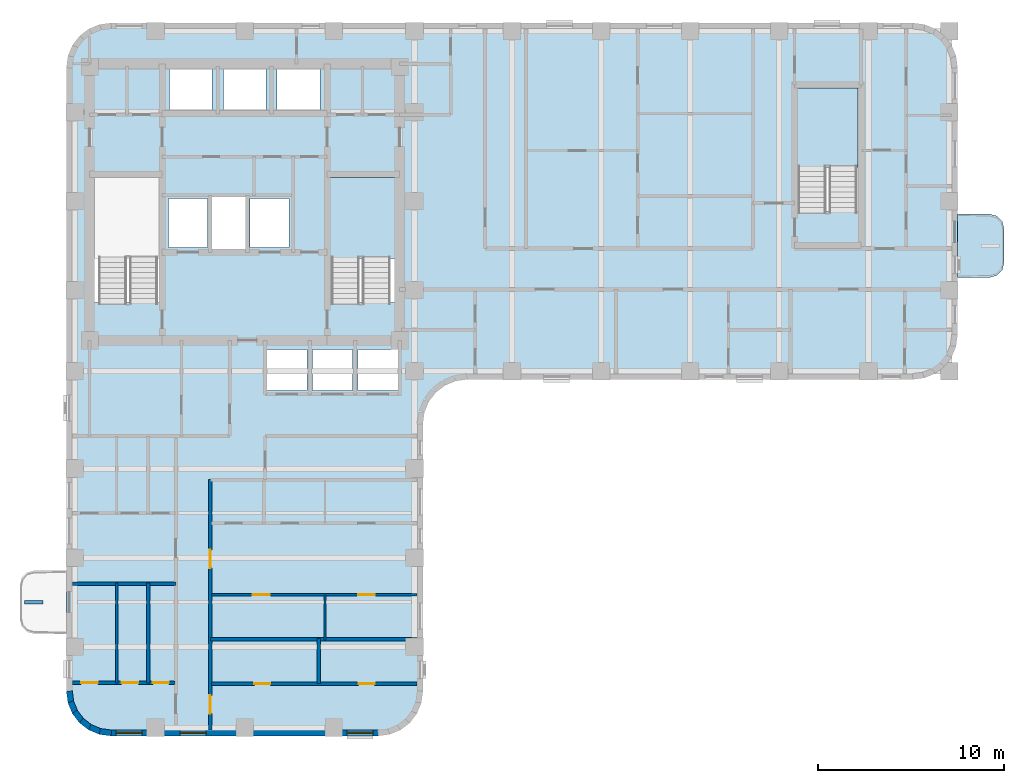
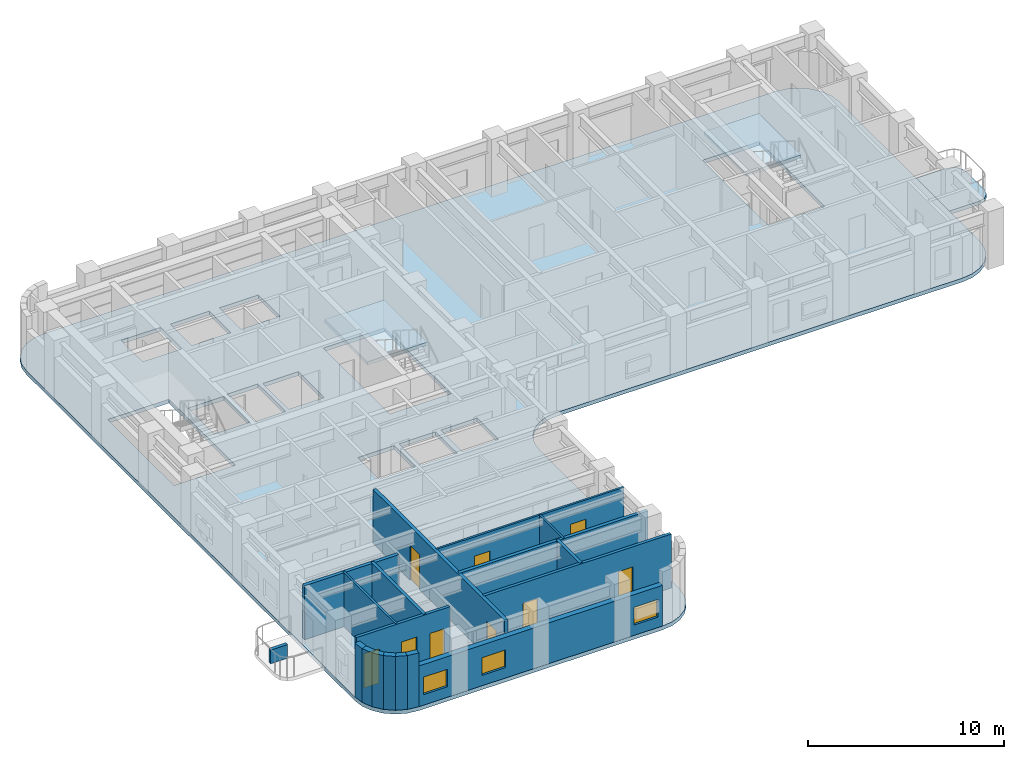
# One storey, part 2 of 10: 18 walls, 9 doors, 4 slabs, 3 windows, 12 openings, 2 elements without a shape of their own.
"""IFC4 building model written with IfcOpenShell, lengths in metres."""

from ifc_helpers import new_model, si_unit, direction, frame, frame_2d, origin, place, context, subcontext, project, spatial, polyline, rectangle, outline, extrude, material, layer, layer_set, type_object, element, fill, aggregate, save


model = new_model("IFC4")

# Units and contexts
model_context = context("Model", 3, precision=1e-05, world=origin(), true_north=direction((0.0, 1.0)))
body_context = subcontext(model_context, "Body", "Model", "MODEL_VIEW")
ifc_project = project(units=[si_unit("LENGTHUNIT", "METRE"), si_unit("AREAUNIT", "SQUARE_METRE"), si_unit("VOLUMEUNIT", "CUBIC_METRE"), si_unit("PLANEANGLEUNIT", "RADIAN"), si_unit("MASSUNIT", "GRAM", prefix="KILO")], contexts=[model_context])

# Site, building, storey
site_placement = place(None, origin())
site = spatial("IfcSite", under=ifc_project, at=site_placement, CompositionType="ELEMENT")
building_placement = place(site_placement, origin())
building = spatial("IfcBuilding", under=site, at=building_placement, Name="Orvandelia Arch Residences", CompositionType="ELEMENT")
storey_placement = place(building_placement, frame((0.0, 0.0, 121.60009765625)))
storey = spatial("IfcBuildingStorey", under=building, at=storey_placement, Name="L31", CompositionType="ELEMENT", Elevation=121.60009765625)

# Slab
ifc_material_1 = material(Name="Precast concrete C40/50", Category="concrete")
ifc_layer_1 = layer(ifc_material_1, 0.219970703125, Name="Precast concrete C40/50", Category="concrete")
ifc_layer_set_1 = layer_set([ifc_layer_1], Name="Precast concrete C40/50")
slab_type_1 = type_object("IfcSlabType", Name="SLB-BAL-220", PredefinedType="USERDEFINED", material=ifc_layer_set_1)
slab_1_placement = place(storey_placement, frame((0.0, 0.0, -0.22021484375)))
element("IfcSlab", 1, at=slab_1_placement, inside=storey, type_object=slab_type_1, Name="Tree Balcony Cantilever Slab BAL-L31-E1", ObjectType="BALCONY", PredefinedType="USERDEFINED", context=body_context, shape_type="SweptSolid", body=[
    extrude(outline(polyline([(52.800048828125, 37.699951171875), (52.800048828125, 34.300048828125), (54.550048828125, 34.300048828125), (54.925048828125, 34.400390625), (55.199462890625, 34.675048828125), (55.300048828125, 35.050048828125), (55.300048828125, 36.949951171875), (55.199462890625, 37.324951171875), (54.925048828125, 37.599609375), (54.550048828125, 37.699951171875), (52.800048828125, 37.699951171875)])), origin(), (0.0, 0.0, 1.0), 0.22021484375),
])

# Stair, slab
ifc_material_2 = material(Name="Concrete C40/50", Category="concrete")
stair_type = type_object("IfcStairType", Name="STAIR-RC-DOGLEG", PredefinedType="HALF_TURN_STAIR", material=ifc_material_2)
stair_1_placement = place(storey_placement, origin())
stair_1 = element("IfcStair", 2, at=stair_1_placement, inside=storey, type_object=stair_type, Name="L31 Protected Exit Stair ST-2", PredefinedType="HALF_TURN_STAIR")
ifc_layer_2 = layer(ifc_material_2, 0.219970703125, Name="Concrete C40/50", Category="concrete")
ifc_layer_set_2 = layer_set([ifc_layer_2], Name="Concrete C40/50")
slab_type_2 = type_object("IfcSlabType", Name="SLB-LANDING-220", PredefinedType="LANDING", material=ifc_layer_set_2)
slab_2_placement = place(storey_placement, frame((0.0, 0.0, 1.599853515625)))
slab_2 = element("IfcSlab", 3, at=slab_2_placement, type_object=slab_type_2, Name="ST-2 landing 1", PredefinedType="LANDING", context=body_context, shape_type="SweptSolid", body=[
    extrude(outline(polyline([(22.5400390625, 35.31005859375), (22.5400390625, 39.68994140625), (19.0, 39.68994140625), (19.0, 35.31005859375), (22.5400390625, 35.31005859375)])), origin(), (0.0, 0.0, 1.0), 0.199951171875),
])
aggregate(stair_1, [slab_2])

stair_2_placement = place(storey_placement, origin())
stair_2 = element("IfcStair", 4, at=stair_2_placement, inside=storey, type_object=stair_type, Name="L31 East Wing Exit Stair ST-3", PredefinedType="HALF_TURN_STAIR")
slab_3_placement = place(storey_placement, frame((0.0, 0.0, 1.599853515625)))
slab_3 = element("IfcSlab", 5, at=slab_3_placement, type_object=slab_type_2, Name="ST-3 landing 1", PredefinedType="LANDING", context=body_context, shape_type="SweptSolid", body=[
    extrude(outline(polyline([(47.43994140625, 40.2099609375), (47.43994140625, 44.5), (44.179931640625, 44.5), (44.179931640625, 40.2099609375), (47.43994140625, 40.2099609375)])), origin(), (0.0, 0.0, 1.0), 0.199951171875),
])
aggregate(stair_2, [slab_3])

# Slab
ifc_layer_3 = layer(ifc_material_2, 0.239990234375, Name="Concrete C40/50", Category="concrete")
ifc_layer_set_3 = layer_set([ifc_layer_3], Name="Concrete C40/50")
slab_type_3 = type_object("IfcSlabType", Name="SLB-TWR-240", PredefinedType="FLOOR", material=ifc_layer_set_3)
slab_4_placement = place(storey_placement, frame((0.0, 0.0, -0.239990234375)))
element("IfcSlab", 6, at=slab_4_placement, inside=storey, type_object=slab_type_3, Name="Structural Floor Slab L31-1", PredefinedType="FLOOR", context=body_context, shape_type="SweptSolid", body=[
    extrude(outline(polyline([(4.800048828125, 12.0), (4.8818359375, 11.37890625), (5.12158203125, 10.800048828125), (5.5029296875, 10.302978515625), (6.0, 9.92138671875), (6.578857421875, 9.681884765625), (7.199951171875, 9.60009765625), (21.60009765625, 9.60009765625), (22.22119140625, 9.681884765625), (22.800048828125, 9.92138671875), (23.297119140625, 10.302978515625), (23.678466796875, 10.800048828125), (23.918212890625, 11.37890625), (24.0, 12.0), (24.0, 26.39990234375), (24.081787109375, 27.021240234375), (24.321533203125, 27.60009765625), (24.702880859375, 28.09716796875), (25.199951171875, 28.478515625), (25.77880859375, 28.71826171875), (26.39990234375, 28.800048828125), (50.39990234375, 28.800048828125), (51.021240234375, 28.8818359375), (51.60009765625, 29.12158203125), (52.09716796875, 29.5029296875), (52.478515625, 30.0), (52.71826171875, 30.578857421875), (52.800048828125, 31.199951171875), (52.800048828125, 45.60009765625), (52.71826171875, 46.22119140625), (52.478515625, 46.800048828125), (52.09716796875, 47.297119140625), (51.60009765625, 47.678466796875), (51.021240234375, 47.918212890625), (50.39990234375, 48.0), (7.199951171875, 48.0), (6.578857421875, 47.918212890625), (6.0, 47.678466796875), (5.5029296875, 47.297119140625), (5.12158203125, 46.800048828125), (4.8818359375, 46.22119140625), (4.800048828125, 45.60009765625), (4.800048828125, 12.0)]), holes=[polyline([(6.219970703125, 32.949951171875), (9.840087890625, 32.949951171875), (9.840087890625, 39.72998046875), (6.219970703125, 39.72998046875), (6.219970703125, 32.949951171875)]), polyline([(18.9599609375, 32.949951171875), (22.580078125, 32.949951171875), (22.580078125, 39.72998046875), (18.9599609375, 39.72998046875), (18.9599609375, 32.949951171875)]), polyline([(44.139892578125, 37.85009765625), (47.47998046875, 37.85009765625), (47.47998046875, 44.5400390625), (44.139892578125, 44.5400390625), (44.139892578125, 37.85009765625)]), polyline([(12.639892578125, 35.81005859375), (14.4599609375, 35.81005859375), (14.4599609375, 38.639892578125), (12.639892578125, 38.639892578125), (12.639892578125, 35.81005859375)]), polyline([(10.300048828125, 35.89990234375), (12.39990234375, 35.89990234375), (12.39990234375, 38.550048828125), (10.300048828125, 38.550048828125), (10.300048828125, 35.89990234375)]), polyline([(14.699951171875, 35.89990234375), (16.800048828125, 35.89990234375), (16.800048828125, 38.550048828125), (14.699951171875, 38.550048828125), (14.699951171875, 35.89990234375)]), polyline([(10.35009765625, 43.300048828125), (12.64990234375, 43.300048828125), (12.64990234375, 45.5), (10.35009765625, 45.5), (10.35009765625, 43.300048828125)]), polyline([(13.25, 43.300048828125), (15.550048828125, 43.300048828125), (15.550048828125, 45.5), (13.25, 45.5), (13.25, 43.300048828125)]), polyline([(16.14990234375, 43.300048828125), (18.449951171875, 43.300048828125), (18.449951171875, 45.5), (16.14990234375, 45.5), (16.14990234375, 43.300048828125)]), polyline([(15.60009765625, 28.199951171875), (17.75, 28.199951171875), (17.75, 30.39990234375), (15.60009765625, 30.39990234375), (15.60009765625, 28.199951171875)]), polyline([(18.050048828125, 28.199951171875), (20.199951171875, 28.199951171875), (20.199951171875, 30.39990234375), (18.050048828125, 30.39990234375), (18.050048828125, 28.199951171875)]), polyline([(20.5, 28.199951171875), (22.64990234375, 28.199951171875), (22.64990234375, 30.39990234375), (20.5, 30.39990234375), (20.5, 28.199951171875)])]), origin(), (0.0, 0.0, 1.0), 0.239990234375),
])

# Wall, openings, doors
ifc_material_3 = material(Name="Fire-Rated Corridor Partition")
ifc_layer_4 = layer(ifc_material_3, 0.199951171875, Name="Fire-Rated Corridor Partition")
ifc_layer_set_4 = layer_set([ifc_layer_4], Name="Fire-Rated Corridor Partition")
wall_type_1 = type_object("IfcWallType", Name="WL-CORR-200", PredefinedType="PARTITIONING", material=ifc_layer_set_4)
wall_1_placement = place(storey_placement, frame((12.550048828125, 9.919921875, 0.0), z_axis=(0.0, 0.0, 1.0), x_axis=(0.0, 1.0, 0.0)))
wall_1 = element("IfcWall", 7, at=wall_1_placement, inside=storey, type_object=wall_type_1, Name="Interior Partition Wall WL-L31-WC-E", PredefinedType="PARTITIONING", context=body_context, shape_type="SweptSolid", body=[
    extrude(rectangle(XDim=13.47998046875, YDim=0.199951171875, at=frame_2d((6.739990234375, 0.0))), origin(), (0.0, 0.0, 1.0), 3.35986328125),
])
opening_1_placement = place(wall_1_placement, frame((0.885009765625, 0.0, 0.0)))
opening_1 = element("IfcOpeningElement", 8, at=opening_1_placement, cuts=wall_1, Name="Opening D1", PredefinedType="OPENING", context=body_context, shape_type="SweptSolid", body=[
    extrude(rectangle(XDim=0.97998046875, YDim=2.179931640625, at=frame_2d((0.489990234375, 1.08984375))), frame((0.0, 0.10986328125, 0.0), z_axis=(0.0, -1.0, 0.0), x_axis=(1.0, 0.0, 0.0)), (0.0, 0.0, 1.0), 0.219970703125),
])
opening_2_placement = place(wall_1_placement, frame((8.718994140625, 0.0, 0.0)))
opening_2 = element("IfcOpeningElement", 9, at=opening_2_placement, cuts=wall_1, Name="Opening D1", PredefinedType="OPENING", context=body_context, shape_type="SweptSolid", body=[
    extrude(rectangle(XDim=0.97998046875, YDim=2.179931640625, at=frame_2d((0.489990234375, 1.08984375))), frame((0.0, 0.10986328125, 0.0), z_axis=(0.0, -1.0, 0.0), x_axis=(1.0, 0.0, 0.0)), (0.0, 0.0, 1.0), 0.219970703125),
])
ifc_material_4 = material(Name="Solid-Core Timber Acoustic Fire Door", Category="wood")
door_type_1 = type_object("IfcDoorType", Name="DR-ENT-980", OperationType="NOTDEFINED", PredefinedType="DOOR", material=ifc_material_4)
door_1_placement = place(opening_1_placement, origin())
door_1 = element("IfcDoor", 10, at=door_1_placement, inside=storey, type_object=door_type_1, Name="Unit L31-03 Entrance Door", OperationType="SINGLE_SWING_LEFT", OverallHeight=2.179931640625, OverallWidth=0.97998046875, PredefinedType="DOOR", context=body_context, shape_type="SweptSolid", body=[
    extrude(rectangle(XDim=0.97998046875, YDim=2.179931640625, at=frame_2d((0.489990234375, 1.08984375))), frame((0.0, 0.02490234375, 0.0), z_axis=(0.0, -1.0, 0.0), x_axis=(1.0, 0.0, 0.0)), (0.0, 0.0, 1.0), 0.050048828125),
])
fill(opening_1, door_1)
door_2_placement = place(opening_2_placement, origin())
door_2 = element("IfcDoor", 11, at=door_2_placement, inside=storey, type_object=door_type_1, Name="Unit L31-04 Entrance Door", OperationType="SINGLE_SWING_RIGHT", OverallHeight=2.179931640625, OverallWidth=0.97998046875, PredefinedType="DOOR", context=body_context, shape_type="SweptSolid", body=[
    extrude(rectangle(XDim=0.97998046875, YDim=2.179931640625, at=frame_2d((0.489990234375, 1.08984375))), frame((0.0, 0.02490234375, 0.0), z_axis=(0.0, -1.0, 0.0), x_axis=(1.0, 0.0, 0.0)), (0.0, 0.0, 1.0), 0.050048828125),
])
fill(opening_2, door_2)

# Walls
ifc_layer_5 = layer(ifc_material_2, 0.199951171875, Name="Concrete C40/50", Category="concrete")
ifc_layer_set_5 = layer_set([ifc_layer_5], Name="Concrete C40/50")
wall_type_2 = type_object("IfcWallType", Name="WL-DEM-200", PredefinedType="SOLIDWALL", material=ifc_layer_set_5)
wall_2_placement = place(storey_placement, frame((5.1201171875, 17.800048828125, 0.0), z_axis=(0.0, 0.0, 1.0), x_axis=(1.0, 0.0, 0.0)))
element("IfcWall", 12, at=wall_2_placement, inside=storey, type_object=wall_type_2, Name="Interior Partition Wall WL-L31-DEM-WL-178", PredefinedType="SOLIDWALL", context=body_context, shape_type="SweptSolid", body=[
    extrude(rectangle(XDim=5.579833984375, YDim=0.199951171875, at=frame_2d((2.7900390625, 0.0))), origin(), (0.0, 0.0, 1.0), 3.35986328125),
])
wall_3_placement = place(storey_placement, frame((12.550048828125, 14.800048828125, 0.0), z_axis=(0.0, 0.0, 1.0), x_axis=(1.0, 0.0, 0.0)))
element("IfcWall", 13, at=wall_3_placement, inside=storey, type_object=wall_type_2, Name="Interior Partition Wall WL-L31-DEM-WR-148", PredefinedType="SOLIDWALL", context=body_context, shape_type="SweptSolid", body=[
    extrude(rectangle(XDim=11.1298828125, YDim=0.199951171875, at=frame_2d((5.56494140625, 0.0))), origin(), (0.0, 0.0, 1.0), 3.35986328125),
])

# Wall, openings, windows
ifc_layer_6 = layer(ifc_material_1, 0.320068359375, Name="Precast concrete C40/50", Category="concrete")
ifc_layer_set_6 = layer_set([ifc_layer_6], Name="Precast concrete C40/50")
wall_type_3 = type_object("IfcWallType", Name="WL-EXT-STONE-320", PredefinedType="STANDARD", material=ifc_layer_set_6)
wall_4_placement = place(storey_placement, frame((21.60009765625, 9.760009765625, 0.0), z_axis=(0.0, 0.0, 1.0), x_axis=(-1.0, 0.0, 0.0)))
wall_4 = element("IfcWall", 14, at=wall_4_placement, inside=storey, type_object=wall_type_3, Name="Coral-Limestone Precast Facade Wall L31-035", PredefinedType="STANDARD", context=body_context, shape_type="SweptSolid", body=[
    extrude(rectangle(XDim=14.400146484375, YDim=0.320068359375, at=frame_2d((7.2001953125, 0.0))), origin(), (0.0, 0.0, 1.0), 2.539794921875),
])
opening_3_placement = place(wall_4_placement, frame((0.282470703125, 0.0, 0.64990234375)))
opening_3 = element("IfcOpeningElement", 15, at=opening_3_placement, cuts=wall_4, Name="Opening W10", PredefinedType="OPENING", context=body_context, shape_type="SweptSolid", body=[
    extrude(rectangle(XDim=1.39990234375, YDim=1.10009765625, at=frame_2d((0.699951171875, 0.550048828125))), frame((0.0, 0.169921875, 0.0), z_axis=(0.0, -1.0, 0.0), x_axis=(1.0, 0.0, 0.0)), (0.0, 0.0, 1.0), 0.340087890625),
])
opening_4_placement = place(wall_4_placement, frame((9.27490234375, 0.0, 0.64990234375)))
opening_4 = element("IfcOpeningElement", 16, at=opening_4_placement, cuts=wall_4, Name="Opening W10", PredefinedType="OPENING", context=body_context, shape_type="SweptSolid", body=[
    extrude(rectangle(XDim=1.39990234375, YDim=1.10009765625, at=frame_2d((0.699951171875, 0.550048828125))), frame((0.0, 0.169921875, 0.0), z_axis=(0.0, -1.0, 0.0), x_axis=(1.0, 0.0, 0.0)), (0.0, 0.0, 1.0), 0.340087890625),
])
opening_5_placement = place(wall_4_placement, frame((12.717529296875, 0.0, 0.64990234375)))
opening_5 = element("IfcOpeningElement", 17, at=opening_5_placement, cuts=wall_4, Name="Opening W10", PredefinedType="OPENING", context=body_context, shape_type="SweptSolid", body=[
    extrude(rectangle(XDim=1.39990234375, YDim=1.10009765625, at=frame_2d((0.699951171875, 0.550048828125))), frame((0.0, 0.169921875, 0.0), z_axis=(0.0, -1.0, 0.0), x_axis=(1.0, 0.0, 0.0)), (0.0, 0.0, 1.0), 0.340087890625),
])
ifc_material_5 = material(Name="Tempered Low-E Insulated Glazing", Category="glass")
window_type = type_object("IfcWindowType", Name="WIN-CLR-1400x1100", PartitioningType="SINGLE_PANEL", PredefinedType="WINDOW", material=ifc_material_5)
window_1_placement = place(opening_3_placement, origin())
window_1 = element("IfcWindow", 18, at=window_1_placement, inside=storey, type_object=window_type, Name="Recessed Punched Window L31-021", OverallHeight=1.10009765625, OverallWidth=1.39990234375, PartitioningType="SINGLE_PANEL", PredefinedType="WINDOW", context=body_context, shape_type="SweptSolid", body=[
    extrude(rectangle(XDim=1.39990234375, YDim=1.10009765625, at=frame_2d((0.699951171875, 0.550048828125))), frame((0.0, 0.030029296875, 0.0), z_axis=(0.0, -1.0, 0.0), x_axis=(1.0, 0.0, 0.0)), (0.0, 0.0, 1.0), 0.06005859375),
])
fill(opening_3, window_1)
window_2_placement = place(opening_4_placement, origin())
window_2 = element("IfcWindow", 19, at=window_2_placement, inside=storey, type_object=window_type, Name="Recessed Punched Window L31-022", OverallHeight=1.10009765625, OverallWidth=1.39990234375, PartitioningType="SINGLE_PANEL", PredefinedType="WINDOW", context=body_context, shape_type="SweptSolid", body=[
    extrude(rectangle(XDim=1.39990234375, YDim=1.10009765625, at=frame_2d((0.699951171875, 0.550048828125))), frame((0.0, 0.030029296875, 0.0), z_axis=(0.0, -1.0, 0.0), x_axis=(1.0, 0.0, 0.0)), (0.0, 0.0, 1.0), 0.06005859375),
])
fill(opening_4, window_2)
window_3_placement = place(opening_5_placement, origin())
window_3 = element("IfcWindow", 20, at=window_3_placement, inside=storey, type_object=window_type, Name="Recessed Punched Window L31-023", OverallHeight=1.10009765625, OverallWidth=1.39990234375, PartitioningType="SINGLE_PANEL", PredefinedType="WINDOW", context=body_context, shape_type="SweptSolid", body=[
    extrude(rectangle(XDim=1.39990234375, YDim=1.10009765625, at=frame_2d((0.699951171875, 0.550048828125))), frame((0.0, 0.030029296875, 0.0), z_axis=(0.0, -1.0, 0.0), x_axis=(1.0, 0.0, 0.0)), (0.0, 0.0, 1.0), 0.06005859375),
])
fill(opening_5, window_3)

# Walls
wall_5_placement = place(storey_placement, frame((7.220947265625, 9.758544921875, 0.0), z_axis=(0.0, 0.0, 1.0), x_axis=(-0.991447664465, 0.130504898859, 0.0)))
element("IfcWall", 21, at=wall_5_placement, inside=storey, type_object=wall_type_3, Name="Coral-Limestone Precast Facade Wall L31-036", PredefinedType="STANDARD", context=body_context, shape_type="SweptSolid", body=[
    extrude(rectangle(XDim=0.626708984375, YDim=0.320068359375, at=frame_2d((0.3134765625, 0.0))), origin(), (0.0, 0.0, 1.0), 3.35986328125),
])
wall_6_placement = place(storey_placement, frame((6.639892578125, 9.82958984375, 0.0), z_axis=(0.0, 0.0, 1.0), x_axis=(-0.923836271867, 0.382787856107, 0.0)))
element("IfcWall", 22, at=wall_6_placement, inside=storey, type_object=wall_type_3, Name="Coral-Limestone Precast Facade Wall L31-037", PredefinedType="STANDARD", context=body_context, shape_type="SweptSolid", body=[
    extrude(rectangle(XDim=0.626220703125, YDim=0.320068359375, at=frame_2d((0.31298828125, 0.0))), origin(), (0.0, 0.0, 1.0), 3.35986328125),
])
wall_7_placement = place(storey_placement, frame((6.097412109375, 10.04833984375, 0.0), z_axis=(0.0, 0.0, 1.0), x_axis=(-0.793405610854, 0.608693302629, 0.0)))
element("IfcWall", 23, at=wall_7_placement, inside=storey, type_object=wall_type_3, Name="Coral-Limestone Precast Facade Wall L31-038", PredefinedType="STANDARD", context=body_context, shape_type="SweptSolid", body=[
    extrude(rectangle(XDim=0.62646484375, YDim=0.320068359375, at=frame_2d((0.313232421875, 0.0))), origin(), (0.0, 0.0, 1.0), 3.35986328125),
])
wall_8_placement = place(storey_placement, frame((5.6298828125, 10.400390625, 0.0), z_axis=(0.0, 0.0, 1.0), x_axis=(-0.608938521285, 0.7932174212, 0.0)))
element("IfcWall", 24, at=wall_8_placement, inside=storey, type_object=wall_type_3, Name="Coral-Limestone Precast Facade Wall L31-039", PredefinedType="STANDARD", context=body_context, shape_type="SweptSolid", body=[
    extrude(rectangle(XDim=0.626708984375, YDim=0.320068359375, at=frame_2d((0.3134765625, 0.0))), origin(), (0.0, 0.0, 1.0), 3.35986328125),
])
wall_9_placement = place(storey_placement, frame((5.269287109375, 10.861083984375, 0.0), z_axis=(0.0, 0.0, 1.0), x_axis=(-0.382650053678, 0.92389335771, 0.0)))
element("IfcWall", 25, at=wall_9_placement, inside=storey, type_object=wall_type_3, Name="Coral-Limestone Precast Facade Wall L31-040", PredefinedType="STANDARD", context=body_context, shape_type="SweptSolid", body=[
    extrude(rectangle(XDim=0.62646484375, YDim=0.320068359375, at=frame_2d((0.313232421875, 0.0))), origin(), (0.0, 0.0, 1.0), 3.35986328125),
])
wall_10_placement = place(storey_placement, frame((5.040283203125, 11.399658203125, 0.0), z_axis=(0.0, 0.0, 1.0), x_axis=(-0.130504898859, 0.991447664465, 0.0)))
element("IfcWall", 26, at=wall_10_placement, inside=storey, type_object=wall_type_3, Name="Coral-Limestone Precast Facade Wall L31-041", PredefinedType="STANDARD", context=body_context, shape_type="SweptSolid", body=[
    extrude(rectangle(XDim=0.626708984375, YDim=0.320068359375, at=frame_2d((0.3134765625, 0.0))), origin(), (0.0, 0.0, 1.0), 3.35986328125),
])
ifc_material_6 = material(Name="Lightweight Gypsum Stud Partition")
ifc_layer_7 = layer(ifc_material_6, 0.1201171875, Name="Lightweight Gypsum Stud Partition")
ifc_layer_set_7 = layer_set([ifc_layer_7], Name="Lightweight Gypsum Stud Partition")
wall_type_4 = type_object("IfcWallType", Name="WL-PART-120", PredefinedType="PARTITIONING", material=ifc_layer_set_7)
wall_11_placement = place(storey_placement, frame((7.514892578125, 12.4619140625, 0.0), z_axis=(0.0, 0.0, 1.0), x_axis=(0.0, 1.0, 0.0)))
element("IfcWall", 27, at=wall_11_placement, inside=storey, type_object=wall_type_4, Name="Interior Partition Wall WL-L31-U01-V1", PredefinedType="PARTITIONING", context=body_context, shape_type="SweptSolid", body=[
    extrude(rectangle(XDim=5.378173828125, YDim=0.1201171875, at=frame_2d((2.68896484375, 0.0))), origin(), (0.0, 0.0, 1.0), 3.35986328125),
])

# Wall, openings, doors
wall_12_placement = place(storey_placement, frame((12.610107421875, 17.197998046875, 0.0), z_axis=(0.0, 0.0, 1.0), x_axis=(1.0, 0.0, 0.0)))
wall_12 = element("IfcWall", 28, at=wall_12_placement, inside=storey, type_object=wall_type_4, Name="Interior Partition Wall WL-L31-U04-HB", PredefinedType="PARTITIONING", context=body_context, shape_type="SweptSolid", body=[
    extrude(rectangle(XDim=11.06982421875, YDim=0.1201171875, at=frame_2d((5.534912109375, 0.0))), origin(), (0.0, 0.0, 1.0), 3.35986328125),
])
opening_6_placement = place(wall_12_placement, frame((2.2373046875, 0.0, 0.0)))
opening_6 = element("IfcOpeningElement", 29, at=opening_6_placement, cuts=wall_12, Name="Opening D3", PredefinedType="OPENING", context=body_context, shape_type="SweptSolid", body=[
    extrude(rectangle(XDim=0.89990234375, YDim=2.14990234375, at=frame_2d((0.449951171875, 1.074951171875))), frame((0.0, 0.070068359375, 0.0), z_axis=(0.0, -1.0, 0.0), x_axis=(1.0, 0.0, 0.0)), (0.0, 0.0, 1.0), 0.14013671875),
])
opening_7_placement = place(wall_12_placement, frame((7.903076171875, 0.0, 0.0)))
opening_7 = element("IfcOpeningElement", 30, at=opening_7_placement, cuts=wall_12, Name="Opening D3", PredefinedType="OPENING", context=body_context, shape_type="SweptSolid", body=[
    extrude(rectangle(XDim=0.89990234375, YDim=2.14990234375, at=frame_2d((0.449951171875, 1.074951171875))), frame((0.0, 0.070068359375, 0.0), z_axis=(0.0, -1.0, 0.0), x_axis=(1.0, 0.0, 0.0)), (0.0, 0.0, 1.0), 0.14013671875),
])
ifc_material_7 = material(Name="Engineered Timber Flush Door", Category="wood")
door_type_2 = type_object("IfcDoorType", Name="DR-INT-900", OperationType="NOTDEFINED", PredefinedType="DOOR", material=ifc_material_7)
door_3_placement = place(opening_6_placement, origin())
door_3 = element("IfcDoor", 31, at=door_3_placement, inside=storey, type_object=door_type_2, Name="DR-L31-U04-STDY", OperationType="SINGLE_SWING_RIGHT", OverallHeight=2.14990234375, OverallWidth=0.89990234375, PredefinedType="DOOR", context=body_context, shape_type="SweptSolid", body=[
    extrude(rectangle(XDim=0.89990234375, YDim=2.14990234375, at=frame_2d((0.449951171875, 1.074951171875))), frame((0.0, 0.02490234375, 0.0), z_axis=(0.0, -1.0, 0.0), x_axis=(1.0, 0.0, 0.0)), (0.0, 0.0, 1.0), 0.050048828125),
])
fill(opening_6, door_3)
door_4_placement = place(opening_7_placement, origin())
door_4 = element("IfcDoor", 32, at=door_4_placement, inside=storey, type_object=door_type_2, Name="DR-L31-U04-BD2", OperationType="SINGLE_SWING_LEFT", OverallHeight=2.14990234375, OverallWidth=0.89990234375, PredefinedType="DOOR", context=body_context, shape_type="SweptSolid", body=[
    extrude(rectangle(XDim=0.89990234375, YDim=2.14990234375, at=frame_2d((0.449951171875, 1.074951171875))), frame((0.0, 0.02490234375, 0.0), z_axis=(0.0, -1.0, 0.0), x_axis=(1.0, 0.0, 0.0)), (0.0, 0.0, 1.0), 0.050048828125),
])
fill(opening_7, door_4)

# Walls
wall_13_placement = place(storey_placement, frame((18.73193359375, 14.760009765625, 0.0), z_axis=(0.0, 0.0, 1.0), x_axis=(0.0, 1.0, 0.0)))
element("IfcWall", 33, at=wall_13_placement, inside=storey, type_object=wall_type_4, Name="Interior Partition Wall WL-L31-U04-VB", PredefinedType="PARTITIONING", context=body_context, shape_type="SweptSolid", body=[
    extrude(rectangle(XDim=2.43798828125, YDim=0.1201171875, at=frame_2d((1.218994140625, 0.0))), origin(), (0.0, 0.0, 1.0), 3.35986328125),
])
ifc_layer_8 = layer(ifc_material_1, 0.199951171875, Name="Precast concrete C40/50", Category="concrete")
ifc_layer_set_8 = layer_set([ifc_layer_8], Name="Precast concrete C40/50")
wall_type_5 = type_object("IfcWallType", Name="WL-PLANTER-200", PredefinedType="MOVABLE", material=ifc_layer_set_8)
wall_14_placement = place(storey_placement, frame((2.550048828125, 16.800048828125, 0.0), z_axis=(0.0, 0.0, 1.0), x_axis=(1.0, 0.0, 0.0)))
element("IfcWall", 34, at=wall_14_placement, inside=storey, type_object=wall_type_5, Name="Balcony Precast Tree Planter BAL-L31-W1", PredefinedType="MOVABLE", context=body_context, shape_type="SweptSolid", body=[
    extrude(rectangle(XDim=1.0, YDim=0.199951171875, at=frame_2d((0.5, 0.0))), origin(), (0.0, 0.0, 1.0), 0.849853515625),
])

# Wall, openings, doors
ifc_material_8 = material(Name="Moisture-Resistant Plumbing Wall")
ifc_layer_9 = layer(ifc_material_8, 0.179931640625, Name="Moisture-Resistant Plumbing Wall")
ifc_layer_set_9 = layer_set([ifc_layer_9], Name="Moisture-Resistant Plumbing Wall")
wall_type_6 = type_object("IfcWallType", Name="WL-WET-180", PredefinedType="PLUMBINGWALL", material=ifc_layer_set_9)
wall_15_placement = place(storey_placement, frame((5.1201171875, 12.4619140625, 0.0), z_axis=(0.0, 0.0, 1.0), x_axis=(1.0, 0.0, 0.0)))
wall_15 = element("IfcWall", 35, at=wall_15_placement, inside=storey, type_object=wall_type_6, Name="Interior Partition Wall WL-L31-U01-HZ", PredefinedType="PLUMBINGWALL", context=body_context, shape_type="SweptSolid", body=[
    extrude(rectangle(XDim=5.519775390625, YDim=0.179931640625, at=frame_2d((2.759765625, 0.0))), origin(), (0.0, 0.0, 1.0), 3.35986328125),
])
opening_8_placement = place(wall_15_placement, frame((0.47216796875, 0.0, 0.0)))
opening_8 = element("IfcOpeningElement", 36, at=opening_8_placement, cuts=wall_15, Name="Opening D3", PredefinedType="OPENING", context=body_context, shape_type="SweptSolid", body=[
    extrude(rectangle(XDim=0.89990234375, YDim=2.14990234375, at=frame_2d((0.449951171875, 1.074951171875))), frame((0.0, 0.10009765625, 0.0), z_axis=(0.0, -1.0, 0.0), x_axis=(1.0, 0.0, 0.0)), (0.0, 0.0, 1.0), 0.199951171875),
])
opening_9_placement = place(wall_15_placement, frame((2.655029296875, 0.0, 0.0)))
opening_9 = element("IfcOpeningElement", 37, at=opening_9_placement, cuts=wall_15, Name="Opening D3", PredefinedType="OPENING", context=body_context, shape_type="SweptSolid", body=[
    extrude(rectangle(XDim=0.89990234375, YDim=2.14990234375, at=frame_2d((0.449951171875, 1.074951171875))), frame((0.0, 0.10009765625, 0.0), z_axis=(0.0, -1.0, 0.0), x_axis=(1.0, 0.0, 0.0)), (0.0, 0.0, 1.0), 0.199951171875),
])
opening_10_placement = place(wall_15_placement, frame((4.342041015625, 0.0, 0.0)))
opening_10 = element("IfcOpeningElement", 38, at=opening_10_placement, cuts=wall_15, Name="Opening D4", PredefinedType="OPENING", context=body_context, shape_type="SweptSolid", body=[
    extrude(rectangle(XDim=0.860107421875, YDim=2.10009765625, at=frame_2d((0.43017578125, 1.050048828125))), frame((0.0, 0.10009765625, 0.0), z_axis=(0.0, -1.0, 0.0), x_axis=(1.0, 0.0, 0.0)), (0.0, 0.0, 1.0), 0.199951171875),
])
door_5_placement = place(opening_8_placement, origin())
door_5 = element("IfcDoor", 39, at=door_5_placement, inside=storey, type_object=door_type_2, Name="DR-L31-U01-BD1", OperationType="SINGLE_SWING_LEFT", OverallHeight=2.14990234375, OverallWidth=0.89990234375, PredefinedType="DOOR", context=body_context, shape_type="SweptSolid", body=[
    extrude(rectangle(XDim=0.89990234375, YDim=2.14990234375, at=frame_2d((0.449951171875, 1.074951171875))), frame((0.0, 0.02490234375, 0.0), z_axis=(0.0, -1.0, 0.0), x_axis=(1.0, 0.0, 0.0)), (0.0, 0.0, 1.0), 0.050048828125),
])
fill(opening_8, door_5)
door_6_placement = place(opening_9_placement, origin())
door_6 = element("IfcDoor", 40, at=door_6_placement, inside=storey, type_object=door_type_2, Name="DR-L31-U01-KIT", OperationType="SINGLE_SWING_RIGHT", OverallHeight=2.14990234375, OverallWidth=0.89990234375, PredefinedType="DOOR", context=body_context, shape_type="SweptSolid", body=[
    extrude(rectangle(XDim=0.89990234375, YDim=2.14990234375, at=frame_2d((0.449951171875, 1.074951171875))), frame((0.0, 0.02490234375, 0.0), z_axis=(0.0, -1.0, 0.0), x_axis=(1.0, 0.0, 0.0)), (0.0, 0.0, 1.0), 0.050048828125),
])
fill(opening_9, door_6)
ifc_material_9 = material(Name="Moisture-Sealed Timber Bathroom Door", Category="wood")
door_type_3 = type_object("IfcDoorType", Name="DR-WET-900", OperationType="NOTDEFINED", PredefinedType="DOOR", material=ifc_material_9)
door_7_placement = place(opening_10_placement, origin())
door_7 = element("IfcDoor", 41, at=door_7_placement, inside=storey, type_object=door_type_3, Name="DR-L31-U01-BTH", OperationType="SINGLE_SWING_LEFT", OverallHeight=2.10009765625, OverallWidth=0.860107421875, PredefinedType="DOOR", context=body_context, shape_type="SweptSolid", body=[
    extrude(rectangle(XDim=0.860107421875, YDim=2.10009765625, at=frame_2d((0.43017578125, 1.050048828125))), frame((0.0, 0.02490234375, 0.0), z_axis=(0.0, -1.0, 0.0), x_axis=(1.0, 0.0, 0.0)), (0.0, 0.0, 1.0), 0.050048828125),
])
fill(opening_10, door_7)

# Wall
wall_16_placement = place(storey_placement, frame((9.201904296875, 12.4619140625, 0.0), z_axis=(0.0, 0.0, 1.0), x_axis=(0.0, 1.0, 0.0)))
element("IfcWall", 42, at=wall_16_placement, inside=storey, type_object=wall_type_6, Name="Interior Partition Wall WL-L31-U01-V2", PredefinedType="PLUMBINGWALL", context=body_context, shape_type="SweptSolid", body=[
    extrude(rectangle(XDim=5.378173828125, YDim=0.179931640625, at=frame_2d((2.68896484375, 0.0))), origin(), (0.0, 0.0, 1.0), 3.35986328125),
])

# Wall, openings, doors
wall_17_placement = place(storey_placement, frame((12.610107421875, 12.409912109375, 0.0), z_axis=(0.0, 0.0, 1.0), x_axis=(1.0, 0.0, 0.0)))
wall_17 = element("IfcWall", 43, at=wall_17_placement, inside=storey, type_object=wall_type_6, Name="Interior Partition Wall WL-L31-U03-HZ", PredefinedType="PLUMBINGWALL", context=body_context, shape_type="SweptSolid", body=[
    extrude(rectangle(XDim=11.06982421875, YDim=0.179931640625, at=frame_2d((5.534912109375, 0.0))), origin(), (0.0, 0.0, 1.0), 3.35986328125),
])
opening_11_placement = place(wall_17_placement, frame((2.319091796875, 0.0, 0.0)))
opening_11 = element("IfcOpeningElement", 44, at=opening_11_placement, cuts=wall_17, Name="Opening D4", PredefinedType="OPENING", context=body_context, shape_type="SweptSolid", body=[
    extrude(rectangle(XDim=0.860107421875, YDim=2.10009765625, at=frame_2d((0.43017578125, 1.050048828125))), frame((0.0, 0.10009765625, 0.0), z_axis=(0.0, -1.0, 0.0), x_axis=(1.0, 0.0, 0.0)), (0.0, 0.0, 1.0), 0.199951171875),
])
opening_12_placement = place(wall_17_placement, frame((7.93408203125, 0.0, 0.0)))
opening_12 = element("IfcOpeningElement", 45, at=opening_12_placement, cuts=wall_17, Name="Opening D4", PredefinedType="OPENING", context=body_context, shape_type="SweptSolid", body=[
    extrude(rectangle(XDim=0.860107421875, YDim=2.10009765625, at=frame_2d((0.43017578125, 1.050048828125))), frame((0.0, 0.10009765625, 0.0), z_axis=(0.0, -1.0, 0.0), x_axis=(1.0, 0.0, 0.0)), (0.0, 0.0, 1.0), 0.199951171875),
])
door_8_placement = place(opening_11_placement, origin())
door_8 = element("IfcDoor", 46, at=door_8_placement, inside=storey, type_object=door_type_3, Name="DR-L31-U03-KIT", OperationType="SINGLE_SWING_LEFT", OverallHeight=2.10009765625, OverallWidth=0.860107421875, PredefinedType="DOOR", context=body_context, shape_type="SweptSolid", body=[
    extrude(rectangle(XDim=0.860107421875, YDim=2.10009765625, at=frame_2d((0.43017578125, 1.050048828125))), frame((0.0, 0.02490234375, 0.0), z_axis=(0.0, -1.0, 0.0), x_axis=(1.0, 0.0, 0.0)), (0.0, 0.0, 1.0), 0.050048828125),
])
fill(opening_11, door_8)
door_9_placement = place(opening_12_placement, origin())
door_9 = element("IfcDoor", 47, at=door_9_placement, inside=storey, type_object=door_type_3, Name="DR-L31-U03-BTH", OperationType="SINGLE_SWING_RIGHT", OverallHeight=2.10009765625, OverallWidth=0.860107421875, PredefinedType="DOOR", context=body_context, shape_type="SweptSolid", body=[
    extrude(rectangle(XDim=0.860107421875, YDim=2.10009765625, at=frame_2d((0.43017578125, 1.050048828125))), frame((0.0, 0.02490234375, 0.0), z_axis=(0.0, -1.0, 0.0), x_axis=(1.0, 0.0, 0.0)), (0.0, 0.0, 1.0), 0.050048828125),
])
fill(opening_12, door_9)

# Wall
wall_18_placement = place(storey_placement, frame((18.39794921875, 12.409912109375, 0.0), z_axis=(0.0, 0.0, 1.0), x_axis=(0.0, 1.0, 0.0)))
element("IfcWall", 48, at=wall_18_placement, inside=storey, type_object=wall_type_6, Name="Interior Partition Wall WL-L31-U03-V1", PredefinedType="PLUMBINGWALL", context=body_context, shape_type="SweptSolid", body=[
    extrude(rectangle(XDim=2.43017578125, YDim=0.179931640625, at=frame_2d((1.215087890625, 0.0))), origin(), (0.0, 0.0, 1.0), 3.35986328125),
])

save(model, "model.ifc")
